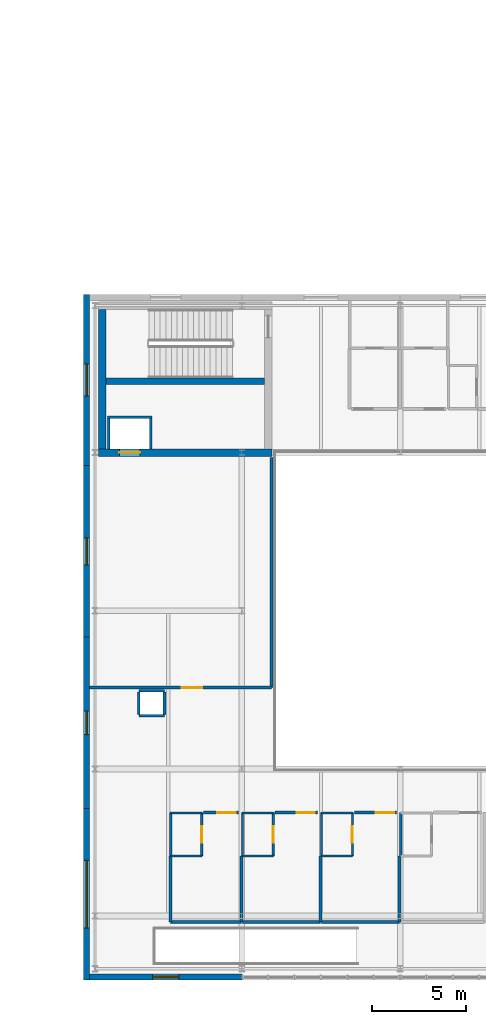
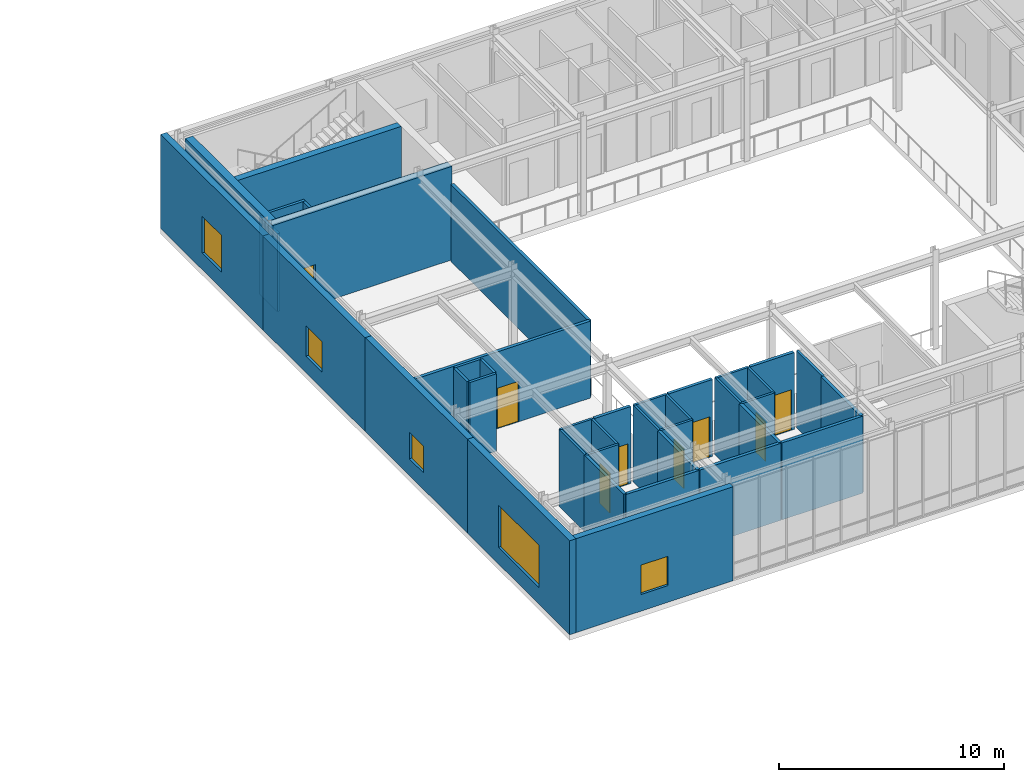
# One storey, part 115 of 139: 40 walls, 8 doors, 5 windows, 13 openings.
"""IFC4 building model written with IfcOpenShell, lengths in metres."""

from ifc_helpers import new_model, si_unit, direction, frame, frame_2d, origin, place, context, subcontext, project, spatial, rectangle, extrude, material, layer, layer_set, type_object, element, fill, save


model = new_model("IFC4")

# Units and contexts
model_context = context("Model", 3, precision=1e-05, world=origin(), true_north=direction((0.0, 1.0)))
body_context = subcontext(model_context, "Body", "Model", "MODEL_VIEW")
ifc_project = project(units=[si_unit("LENGTHUNIT", "METRE"), si_unit("AREAUNIT", "SQUARE_METRE"), si_unit("VOLUMEUNIT", "CUBIC_METRE"), si_unit("PLANEANGLEUNIT", "RADIAN"), si_unit("MASSUNIT", "GRAM", prefix="KILO")], contexts=[model_context])

# Site, building, storey
site_placement = place(None, origin())
site = spatial("IfcSite", under=ifc_project, at=site_placement, CompositionType="ELEMENT")
building_placement = place(site_placement, origin())
building = spatial("IfcBuilding", under=site, at=building_placement, Name="Zayran Congress Hotel", CompositionType="ELEMENT")
storey_placement = place(building_placement, frame((0.0, 0.0, 5.39990234375)))
storey = spatial("IfcBuildingStorey", under=building, at=storey_placement, Name="L01", CompositionType="ELEMENT", Elevation=5.39990234375)

# Wall, opening, window
ifc_material_1 = material(Name="Ajlun white limestone and insulated concrete C32/40", Category="masonry")
ifc_layer_1 = layer(ifc_material_1, 0.320068359375)
ifc_layer_set_1 = layer_set([ifc_layer_1], Name="Ajlun white limestone and insulated concrete C32/40")
wall_type_1 = type_object("IfcWallType", Name="WL-EX-320", PredefinedType="SOLIDWALL", material=ifc_layer_set_1)
wall_1_placement = place(storey_placement, frame((159.60009765625, 6.159912109375, 0.0), z_axis=(0.0, 0.0, 1.0), x_axis=(-1.0, 0.0, 0.0)))
wall_1 = element("IfcWall", 1, at=wall_1_placement, inside=storey, type_object=wall_type_1, Name="EW-V3-S-L01-0", PredefinedType="SOLIDWALL", context=body_context, shape_type="SweptSolid", body=[
    extrude(rectangle(XDim=8.080078125, YDim=0.320068359375, at=frame_2d((4.0400390625, 0.0))), origin(), (0.0, 0.0, 1.0), 5.10009765625),
])
opening_1_placement = place(wall_1_placement, frame((3.340087890625, 0.0, 0.89990234375)))
opening_1 = element("IfcOpeningElement", 2, at=opening_1_placement, cuts=wall_1, Name="Opening WN-14", PredefinedType="OPENING", context=body_context, shape_type="SweptSolid", body=[
    extrude(rectangle(XDim=1.39990234375, YDim=1.60009765625, at=frame_2d((0.699951171875, 0.800048828125))), frame((0.0, 0.169921875, 0.0), z_axis=(0.0, -1.0, 0.0), x_axis=(1.0, 0.0, 0.0)), (0.0, 0.0, 1.0), 0.340087890625),
])
ifc_material_2 = material(Name="Anodised aluminium and low-E insulated glass", Category="aluminium")
window_type_1 = type_object("IfcWindowType", Name="TP-WN-14", PartitioningType="SINGLE_PANEL", PredefinedType="WINDOW", material=ifc_material_2)
window_1_placement = place(opening_1_placement, origin())
window_1 = element("IfcWindow", 3, at=window_1_placement, inside=storey, type_object=window_type_1, Name="WIN-V3-0071", OverallHeight=1.60009765625, OverallWidth=1.39990234375, PartitioningType="SINGLE_PANEL", PredefinedType="WINDOW", context=body_context, shape_type="SweptSolid", body=[
    extrude(rectangle(XDim=1.39990234375, YDim=1.60009765625, at=frame_2d((0.699951171875, 0.800048828125))), frame((0.0, 0.030029296875, 0.0), z_axis=(0.0, -1.0, 0.0), x_axis=(1.0, 0.0, 0.0)), (0.0, 0.0, 1.0), 0.06005859375),
])
fill(opening_1, window_1)

wall_2_placement = place(storey_placement, frame((151.360107421875, 6.0, 0.0), z_axis=(0.0, 0.0, 1.0), x_axis=(0.0, 1.0, 0.0)))
wall_2 = element("IfcWall", 4, at=wall_2_placement, inside=storey, type_object=wall_type_1, Name="EW-V3-W-L01-0", PredefinedType="SOLIDWALL", context=body_context, shape_type="SweptSolid", body=[
    extrude(rectangle(XDim=9.10009765625, YDim=0.320068359375, at=frame_2d((4.550048828125, 0.0))), origin(), (0.0, 0.0, 1.0), 5.10009765625),
])
opening_2_placement = place(wall_2_placement, frame((2.75, 0.0, 0.89990234375)))
opening_2 = element("IfcOpeningElement", 5, at=opening_2_placement, cuts=wall_2, Name="Opening WN-21", PredefinedType="OPENING", context=body_context, shape_type="SweptSolid", body=[
    extrude(rectangle(XDim=3.60009765625, YDim=2.300048828125, at=frame_2d((1.800048828125, 1.14990234375))), frame((0.0, 0.169921875, 0.0), z_axis=(0.0, -1.0, 0.0), x_axis=(1.0, 0.0, 0.0)), (0.0, 0.0, 1.0), 0.340087890625),
])
window_type_2 = type_object("IfcWindowType", Name="TP-WN-21", PartitioningType="TRIPLE_PANEL_VERTICAL", PredefinedType="WINDOW", material=ifc_material_2)
window_2_placement = place(opening_2_placement, origin())
window_2 = element("IfcWindow", 6, at=window_2_placement, inside=storey, type_object=window_type_2, Name="WIN-V3-0078", OverallHeight=2.300048828125, OverallWidth=3.60009765625, PartitioningType="SINGLE_PANEL", PredefinedType="WINDOW", context=body_context, shape_type="SweptSolid", body=[
    extrude(rectangle(XDim=3.60009765625, YDim=2.300048828125, at=frame_2d((1.800048828125, 1.14990234375))), frame((0.0, 0.030029296875, 0.0), z_axis=(0.0, -1.0, 0.0), x_axis=(1.0, 0.0, 0.0)), (0.0, 0.0, 1.0), 0.06005859375),
])
fill(opening_2, window_2)

wall_3_placement = place(storey_placement, frame((151.360107421875, 15.10009765625, 0.0), z_axis=(0.0, 0.0, 1.0), x_axis=(0.0, 1.0, 0.0)))
wall_3 = element("IfcWall", 7, at=wall_3_placement, inside=storey, type_object=wall_type_1, Name="EW-V3-W-L01-1", PredefinedType="SOLIDWALL", context=body_context, shape_type="SweptSolid", body=[
    extrude(rectangle(XDim=9.099853515625, YDim=0.320068359375, at=frame_2d((4.5498046875, 0.0))), origin(), (0.0, 0.0, 1.0), 5.10009765625),
])
opening_3_placement = place(wall_3_placement, frame((3.925048828125, 0.0, 0.89990234375)))
opening_3 = element("IfcOpeningElement", 8, at=opening_3_placement, cuts=wall_3, Name="Opening WN-23", PredefinedType="OPENING", context=body_context, shape_type="SweptSolid", body=[
    extrude(rectangle(XDim=1.25, YDim=1.449951171875, at=frame_2d((0.625, 0.72509765625))), frame((0.0, 0.169921875, 0.0), z_axis=(0.0, -1.0, 0.0), x_axis=(1.0, 0.0, 0.0)), (0.0, 0.0, 1.0), 0.340087890625),
])
window_type_3 = type_object("IfcWindowType", Name="TP-WN-23", PartitioningType="SINGLE_PANEL", PredefinedType="WINDOW", material=ifc_material_2)
window_3_placement = place(opening_3_placement, origin())
window_3 = element("IfcWindow", 9, at=window_3_placement, inside=storey, type_object=window_type_3, Name="WIN-V3-0080", OverallHeight=1.449951171875, OverallWidth=1.25, PartitioningType="SINGLE_PANEL", PredefinedType="WINDOW", context=body_context, shape_type="SweptSolid", body=[
    extrude(rectangle(XDim=1.25, YDim=1.449951171875, at=frame_2d((0.625, 0.72509765625))), frame((0.0, 0.030029296875, 0.0), z_axis=(0.0, -1.0, 0.0), x_axis=(1.0, 0.0, 0.0)), (0.0, 0.0, 1.0), 0.06005859375),
])
fill(opening_3, window_3)

wall_4_placement = place(storey_placement, frame((151.360107421875, 24.199951171875, 0.0), z_axis=(0.0, 0.0, 1.0), x_axis=(0.0, 1.0, 0.0)))
wall_4 = element("IfcWall", 10, at=wall_4_placement, inside=storey, type_object=wall_type_1, Name="EW-V3-W-L01-2", PredefinedType="SOLIDWALL", context=body_context, shape_type="SweptSolid", body=[
    extrude(rectangle(XDim=9.10009765625, YDim=0.320068359375, at=frame_2d((4.550048828125, 0.0))), origin(), (0.0, 0.0, 1.0), 5.10009765625),
])
opening_4_placement = place(wall_4_placement, frame((3.824951171875, 0.0, 0.89990234375)))
opening_4 = element("IfcOpeningElement", 11, at=opening_4_placement, cuts=wall_4, Name="Opening WN-25", PredefinedType="OPENING", context=body_context, shape_type="SweptSolid", body=[
    extrude(rectangle(XDim=1.449951171875, YDim=1.64990234375, at=frame_2d((0.72509765625, 0.824951171875))), frame((0.0, 0.169921875, 0.0), z_axis=(0.0, -1.0, 0.0), x_axis=(1.0, 0.0, 0.0)), (0.0, 0.0, 1.0), 0.340087890625),
])
window_type_4 = type_object("IfcWindowType", Name="TP-WN-25", PartitioningType="SINGLE_PANEL", PredefinedType="WINDOW", material=ifc_material_2)
window_4_placement = place(opening_4_placement, origin())
window_4 = element("IfcWindow", 12, at=window_4_placement, inside=storey, type_object=window_type_4, Name="WIN-V3-0082", OverallHeight=1.64990234375, OverallWidth=1.449951171875, PartitioningType="SINGLE_PANEL", PredefinedType="WINDOW", context=body_context, shape_type="SweptSolid", body=[
    extrude(rectangle(XDim=1.449951171875, YDim=1.64990234375, at=frame_2d((0.72509765625, 0.824951171875))), frame((0.0, 0.030029296875, 0.0), z_axis=(0.0, -1.0, 0.0), x_axis=(1.0, 0.0, 0.0)), (0.0, 0.0, 1.0), 0.06005859375),
])
fill(opening_4, window_4)

wall_5_placement = place(storey_placement, frame((151.360107421875, 33.300048828125, 0.0), z_axis=(0.0, 0.0, 1.0), x_axis=(0.0, 1.0, 0.0)))
wall_5 = element("IfcWall", 13, at=wall_5_placement, inside=storey, type_object=wall_type_1, Name="EW-V3-W-L01-3", PredefinedType="SOLIDWALL", context=body_context, shape_type="SweptSolid", body=[
    extrude(rectangle(XDim=9.099853515625, YDim=0.320068359375, at=frame_2d((4.5498046875, 0.0))), origin(), (0.0, 0.0, 1.0), 5.10009765625),
])
opening_5_placement = place(wall_5_placement, frame((3.699951171875, 0.0, 0.89990234375)))
opening_5 = element("IfcOpeningElement", 14, at=opening_5_placement, cuts=wall_5, Name="Opening WN-27", PredefinedType="OPENING", context=body_context, shape_type="SweptSolid", body=[
    extrude(rectangle(XDim=1.699951171875, YDim=2.0, at=frame_2d((0.85009765625, 1.0))), frame((0.0, 0.169921875, 0.0), z_axis=(0.0, -1.0, 0.0), x_axis=(1.0, 0.0, 0.0)), (0.0, 0.0, 1.0), 0.340087890625),
])
window_type_5 = type_object("IfcWindowType", Name="TP-WN-27", PartitioningType="DOUBLE_PANEL_VERTICAL", PredefinedType="WINDOW", material=ifc_material_2)
window_5_placement = place(opening_5_placement, origin())
window_5 = element("IfcWindow", 15, at=window_5_placement, inside=storey, type_object=window_type_5, Name="WIN-V3-0084", OverallHeight=2.0, OverallWidth=1.699951171875, PartitioningType="SINGLE_PANEL", PredefinedType="WINDOW", context=body_context, shape_type="SweptSolid", body=[
    extrude(rectangle(XDim=1.699951171875, YDim=2.0, at=frame_2d((0.85009765625, 1.0))), frame((0.0, 0.030029296875, 0.0), z_axis=(0.0, -1.0, 0.0), x_axis=(1.0, 0.0, 0.0)), (0.0, 0.0, 1.0), 0.06005859375),
])
fill(opening_5, window_5)

# Wall, opening, door
ifc_material_3 = material(Name="Concrete C40/50", Category="concrete")
ifc_layer_2 = layer(ifc_material_3, 0.39990234375)
ifc_layer_set_2 = layer_set([ifc_layer_2], Name="Concrete C40/50")
wall_type_2 = type_object("IfcWallType", Name="WL-SH-400", PredefinedType="SHEAR", material=ifc_layer_set_2)
wall_6_placement = place(storey_placement, frame((152.0, 34.0, 0.0), z_axis=(0.0, 0.0, 1.0), x_axis=(1.0, 0.0, 0.0)))
wall_6 = element("IfcWall", 16, at=wall_6_placement, inside=storey, type_object=wall_type_2, Name="CWALL-C-V3W-L01-S", PredefinedType="SHEAR", context=body_context, shape_type="SweptSolid", body=[
    extrude(rectangle(XDim=9.199951171875, YDim=0.39990234375, at=frame_2d((4.60009765625, 0.0))), origin(), (0.0, 0.0, 1.0), 5.080078125),
])
opening_6_placement = place(wall_6_placement, frame((1.10009765625, 0.0, 0.0)))
opening_6 = element("IfcOpeningElement", 17, at=opening_6_placement, cuts=wall_6, Name="Opening LD-PL08", PredefinedType="OPENING", context=body_context, shape_type="SweptSolid", body=[
    extrude(rectangle(XDim=1.10009765625, YDim=2.199951171875, at=frame_2d((0.550048828125, 1.10009765625))), frame((0.0, 0.2099609375, 0.0), z_axis=(0.0, -1.0, 0.0), x_axis=(1.0, 0.0, 0.0)), (0.0, 0.0, 1.0), 0.419921875),
])
ifc_material_4 = material(Name="Brushed stainless steel sliding lift landing door", Category="steel")
door_type_1 = type_object("IfcDoorType", Name="TP-DR-LD-01", OperationType="DOUBLE_DOOR_SLIDING", PredefinedType="DOOR", material=ifc_material_4)
door_1_placement = place(opening_6_placement, origin())
door_1 = element("IfcDoor", 18, at=door_1_placement, inside=storey, type_object=door_type_1, Name="Lift PL-08 Sliding Landing Door L01", OperationType="DOUBLE_DOOR_SLIDING", OverallHeight=2.199951171875, OverallWidth=1.10009765625, PredefinedType="DOOR", context=body_context, shape_type="SweptSolid", body=[
    extrude(rectangle(XDim=1.10009765625, YDim=2.199951171875, at=frame_2d((0.550048828125, 1.10009765625))), frame((0.0, 0.02490234375, 0.0), z_axis=(0.0, -1.0, 0.0), x_axis=(1.0, 0.0, 0.0)), (0.0, 0.0, 1.0), 0.050048828125),
])
fill(opening_6, door_1)

# Walls
wall_7_placement = place(storey_placement, frame((152.199951171875, 41.60009765625, 0.0), z_axis=(0.0, 0.0, 1.0), x_axis=(0.0, -1.0, 0.0)))
element("IfcWall", 19, at=wall_7_placement, inside=storey, type_object=wall_type_2, Name="CWALL-C-V3W-L01-W", PredefinedType="SHEAR", context=body_context, shape_type="SweptSolid", body=[
    extrude(rectangle(XDim=7.400146484375, YDim=0.39990234375, at=frame_2d((3.7001953125, 0.0))), origin(), (0.0, 0.0, 1.0), 5.080078125),
])
ifc_layer_3 = layer(ifc_material_3, 0.35009765625)
ifc_layer_set_3 = layer_set([ifc_layer_3], Name="Concrete C40/50")
wall_type_3 = type_object("IfcWallType", Name="WL-SH-350", PredefinedType="SHEAR", material=ifc_layer_set_3)
wall_8_placement = place(storey_placement, frame((152.39990234375, 37.784912109375, 0.0), z_axis=(0.0, 0.0, 1.0), x_axis=(1.0, 0.0, 0.0)))
element("IfcWall", 20, at=wall_8_placement, inside=storey, type_object=wall_type_3, Name="CWALL-C-V3W-L01-SPN", PredefinedType="SHEAR", context=body_context, shape_type="SweptSolid", body=[
    extrude(rectangle(XDim=8.400146484375, YDim=0.35009765625, at=frame_2d((4.2001953125, 0.0))), origin(), (0.0, 0.0, 1.0), 5.080078125),
])

# Wall, opening, door
ifc_material_5 = material(Name="Acoustic twin-stud gypsum partition", Category="gypsum")
ifc_layer_4 = layer(ifc_material_5, 0.159912109375)
ifc_layer_set_4 = layer_set([ifc_layer_4], Name="Acoustic twin-stud gypsum partition")
wall_type_4 = type_object("IfcWallType", Name="WL-PT-160", PredefinedType="PARTITIONING", material=ifc_layer_set_4)
wall_9_placement = place(storey_placement, frame((151.52001953125, 21.52001953125, 0.0), z_axis=(0.0, 0.0, 1.0), x_axis=(1.0, 0.0, 0.0)))
wall_9 = element("IfcWall", 21, at=wall_9_placement, inside=storey, type_object=wall_type_4, Name="IW-L01-0419", PredefinedType="PARTITIONING", context=body_context, shape_type="SweptSolid", body=[
    extrude(rectangle(XDim=9.659912109375, YDim=0.159912109375, at=frame_2d((4.830078125, 0.0))), origin(), (0.0, 0.0, 1.0), 4.18017578125),
])
opening_7_placement = place(wall_9_placement, frame((4.8798828125, 0.0, 0.0)))
opening_7 = element("IfcOpeningElement", 22, at=opening_7_placement, cuts=wall_9, Name="Opening DR-FD-60", PredefinedType="OPENING", context=body_context, shape_type="SweptSolid", body=[
    extrude(rectangle(XDim=1.10009765625, YDim=2.199951171875, at=frame_2d((0.550048828125, 1.10009765625))), frame((0.0, 0.08984375, 0.0), z_axis=(0.0, -1.0, 0.0), x_axis=(1.0, 0.0, 0.0)), (0.0, 0.0, 1.0), 0.179931640625),
])
ifc_material_6 = material(Name="Painted steel fire door assembly", Category="steel")
door_type_2 = type_object("IfcDoorType", Name="TP-DR-FD-60", OperationType="NOTDEFINED", PredefinedType="DOOR", material=ifc_material_6)
door_2_placement = place(opening_7_placement, origin())
door_2 = element("IfcDoor", 23, at=door_2_placement, inside=storey, type_object=door_type_2, Name="Spa Lift Lobby L01 Door", OperationType="SINGLE_SWING_LEFT", OverallHeight=2.199951171875, OverallWidth=1.10009765625, PredefinedType="DOOR", context=body_context, shape_type="SweptSolid", body=[
    extrude(rectangle(XDim=1.10009765625, YDim=2.199951171875, at=frame_2d((0.550048828125, 1.10009765625))), frame((0.0, 0.02490234375, 0.0), z_axis=(0.0, -1.0, 0.0), x_axis=(1.0, 0.0, 0.0)), (0.0, 0.0, 1.0), 0.050048828125),
])
fill(opening_7, door_2)

wall_10_placement = place(storey_placement, frame((157.570068359375, 14.8798828125, 0.0), z_axis=(0.0, 0.0, 1.0), x_axis=(1.0, 0.0, 0.0)))
wall_10 = element("IfcWall", 24, at=wall_10_placement, inside=storey, type_object=wall_type_4, Name="IW-L01-0420", PredefinedType="PARTITIONING", context=body_context, shape_type="SweptSolid", body=[
    extrude(rectangle(XDim=1.849853515625, YDim=0.159912109375, at=frame_2d((0.9248046875, 0.0))), origin(), (0.0, 0.0, 1.0), 4.18017578125),
])
opening_8_placement = place(wall_10_placement, frame((0.72998046875, 0.0, 0.0)))
opening_8 = element("IfcOpeningElement", 25, at=opening_8_placement, cuts=wall_10, Name="Opening DR-SP-01", PredefinedType="OPENING", context=body_context, shape_type="SweptSolid", body=[
    extrude(rectangle(XDim=0.97998046875, YDim=2.199951171875, at=frame_2d((0.489990234375, 1.10009765625))), frame((0.0, 0.08984375, 0.0), z_axis=(0.0, -1.0, 0.0), x_axis=(1.0, 0.0, 0.0)), (0.0, 0.0, 1.0), 0.179931640625),
])
ifc_material_7 = material(Name="Teak thermal spa suite door", Category="wood")
door_type_3 = type_object("IfcDoorType", Name="TP-DR-SP-01", OperationType="NOTDEFINED", PredefinedType="DOOR", material=ifc_material_7)
door_3_placement = place(opening_8_placement, origin())
door_3 = element("IfcDoor", 26, at=door_3_placement, inside=storey, type_object=door_type_3, Name="Treatment Suite 01 Door", OperationType="SINGLE_SWING_RIGHT", OverallHeight=2.199951171875, OverallWidth=0.97998046875, PredefinedType="DOOR", context=body_context, shape_type="SweptSolid", body=[
    extrude(rectangle(XDim=0.97998046875, YDim=2.199951171875, at=frame_2d((0.489990234375, 1.10009765625))), frame((0.0, 0.02490234375, 0.0), z_axis=(0.0, -1.0, 0.0), x_axis=(1.0, 0.0, 0.0)), (0.0, 0.0, 1.0), 0.050048828125),
])
fill(opening_8, door_3)

wall_11_placement = place(storey_placement, frame((161.3701171875, 14.8798828125, 0.0), z_axis=(0.0, 0.0, 1.0), x_axis=(1.0, 0.0, 0.0)))
wall_11 = element("IfcWall", 27, at=wall_11_placement, inside=storey, type_object=wall_type_4, Name="IW-L01-0421", PredefinedType="PARTITIONING", context=body_context, shape_type="SweptSolid", body=[
    extrude(rectangle(XDim=2.25, YDim=0.159912109375, at=frame_2d((1.125, 0.0))), origin(), (0.0, 0.0, 1.0), 4.18017578125),
])
opening_9_placement = place(wall_11_placement, frame((1.1298828125, 0.0, 0.0)))
opening_9 = element("IfcOpeningElement", 28, at=opening_9_placement, cuts=wall_11, Name="Opening DR-SP-01", PredefinedType="OPENING", context=body_context, shape_type="SweptSolid", body=[
    extrude(rectangle(XDim=0.97998046875, YDim=2.199951171875, at=frame_2d((0.489990234375, 1.10009765625))), frame((0.0, 0.08984375, 0.0), z_axis=(0.0, -1.0, 0.0), x_axis=(1.0, 0.0, 0.0)), (0.0, 0.0, 1.0), 0.179931640625),
])
door_4_placement = place(opening_9_placement, origin())
door_4 = element("IfcDoor", 29, at=door_4_placement, inside=storey, type_object=door_type_3, Name="Treatment Suite 02 Door", OperationType="SINGLE_SWING_LEFT", OverallHeight=2.199951171875, OverallWidth=0.97998046875, PredefinedType="DOOR", context=body_context, shape_type="SweptSolid", body=[
    extrude(rectangle(XDim=0.97998046875, YDim=2.199951171875, at=frame_2d((0.489990234375, 1.10009765625))), frame((0.0, 0.02490234375, 0.0), z_axis=(0.0, -1.0, 0.0), x_axis=(1.0, 0.0, 0.0)), (0.0, 0.0, 1.0), 0.050048828125),
])
fill(opening_9, door_4)

wall_12_placement = place(storey_placement, frame((165.570068359375, 14.8798828125, 0.0), z_axis=(0.0, 0.0, 1.0), x_axis=(1.0, 0.0, 0.0)))
wall_12 = element("IfcWall", 30, at=wall_12_placement, inside=storey, type_object=wall_type_4, Name="IW-L01-0422", PredefinedType="PARTITIONING", context=body_context, shape_type="SweptSolid", body=[
    extrude(rectangle(XDim=2.25, YDim=0.159912109375, at=frame_2d((1.125, 0.0))), origin(), (0.0, 0.0, 1.0), 4.18017578125),
])
opening_10_placement = place(wall_12_placement, frame((1.1298828125, 0.0, 0.0)))
opening_10 = element("IfcOpeningElement", 31, at=opening_10_placement, cuts=wall_12, Name="Opening DR-SP-01", PredefinedType="OPENING", context=body_context, shape_type="SweptSolid", body=[
    extrude(rectangle(XDim=0.97998046875, YDim=2.199951171875, at=frame_2d((0.489990234375, 1.10009765625))), frame((0.0, 0.08984375, 0.0), z_axis=(0.0, -1.0, 0.0), x_axis=(1.0, 0.0, 0.0)), (0.0, 0.0, 1.0), 0.179931640625),
])
door_5_placement = place(opening_10_placement, origin())
door_5 = element("IfcDoor", 32, at=door_5_placement, inside=storey, type_object=door_type_3, Name="Treatment Suite 03 Door", OperationType="SINGLE_SWING_RIGHT", OverallHeight=2.199951171875, OverallWidth=0.97998046875, PredefinedType="DOOR", context=body_context, shape_type="SweptSolid", body=[
    extrude(rectangle(XDim=0.97998046875, YDim=2.199951171875, at=frame_2d((0.489990234375, 1.10009765625))), frame((0.0, 0.02490234375, 0.0), z_axis=(0.0, -1.0, 0.0), x_axis=(1.0, 0.0, 0.0)), (0.0, 0.0, 1.0), 0.050048828125),
])
fill(opening_10, door_5)

# Walls
wall_13_placement = place(storey_placement, frame((161.179931640625, 21.52001953125, 0.0), z_axis=(0.0, 0.0, 1.0), x_axis=(0.0, 1.0, 0.0)))
element("IfcWall", 33, at=wall_13_placement, inside=storey, type_object=wall_type_4, Name="IW-L01-1698", PredefinedType="PARTITIONING", context=body_context, shape_type="SweptSolid", body=[
    extrude(rectangle(XDim=12.2099609375, YDim=0.159912109375, at=frame_2d((6.10498046875, 0.0))), origin(), (0.0, 0.0, 1.0), 4.18017578125),
])
wall_14_placement = place(storey_placement, frame((155.820068359375, 9.070068359375, 0.0), z_axis=(0.0, 0.0, 1.0), x_axis=(1.0, 0.0, 0.0)))
element("IfcWall", 34, at=wall_14_placement, inside=storey, type_object=wall_type_4, Name="IW-L01-1699", PredefinedType="PARTITIONING", context=body_context, shape_type="SweptSolid", body=[
    extrude(rectangle(XDim=3.760009765625, YDim=0.159912109375, at=frame_2d((1.8798828125, 0.0))), origin(), (0.0, 0.0, 1.0), 4.18017578125),
])
for number, where, z_axis, x_axis, name in (
    (35, (155.820068359375, 9.070068359375, 0.0), (0.0, 0.0, 1.0), (0.0, 1.0, 0.0), "IW-L01-1700"),
    (36, (159.580078125, 9.070068359375, 0.0), (0.0, 0.0, 1.0), (0.0, 1.0, 0.0), "IW-L01-1701"),
):
    element("IfcWall", number, at=place(storey_placement, frame(where, z_axis=z_axis, x_axis=x_axis)), inside=storey, type_object=wall_type_4, Name=name, PredefinedType="PARTITIONING", context=body_context, shape_type="SweptSolid", body=[
        extrude(rectangle(XDim=3.5, YDim=0.159912109375, at=frame_2d((1.75, 0.0))), origin(), (0.0, 0.0, 1.0), 4.18017578125),
    ])
wall_15_placement = place(storey_placement, frame((159.6201171875, 9.070068359375, 0.0), z_axis=(0.0, 0.0, 1.0), x_axis=(1.0, 0.0, 0.0)))
element("IfcWall", 37, at=wall_15_placement, inside=storey, type_object=wall_type_4, Name="IW-L01-1702", PredefinedType="PARTITIONING", context=body_context, shape_type="SweptSolid", body=[
    extrude(rectangle(XDim=4.159912109375, YDim=0.159912109375, at=frame_2d((2.080078125, 0.0))), origin(), (0.0, 0.0, 1.0), 4.18017578125),
])
wall_16_placement = place(storey_placement, frame((163.780029296875, 9.070068359375, 0.0), z_axis=(0.0, 0.0, 1.0), x_axis=(0.0, 1.0, 0.0)))
element("IfcWall", 38, at=wall_16_placement, inside=storey, type_object=wall_type_4, Name="IW-L01-1703", PredefinedType="PARTITIONING", context=body_context, shape_type="SweptSolid", body=[
    extrude(rectangle(XDim=3.5, YDim=0.159912109375, at=frame_2d((1.75, 0.0))), origin(), (0.0, 0.0, 1.0), 4.18017578125),
])
wall_17_placement = place(storey_placement, frame((163.820068359375, 9.070068359375, 0.0), z_axis=(0.0, 0.0, 1.0), x_axis=(1.0, 0.0, 0.0)))
element("IfcWall", 39, at=wall_17_placement, inside=storey, type_object=wall_type_4, Name="IW-L01-1704", PredefinedType="PARTITIONING", context=body_context, shape_type="SweptSolid", body=[
    extrude(rectangle(XDim=4.159912109375, YDim=0.159912109375, at=frame_2d((2.080078125, 0.0))), origin(), (0.0, 0.0, 1.0), 4.18017578125),
])
wall_18_placement = place(storey_placement, frame((167.97998046875, 9.070068359375, 0.0), z_axis=(0.0, 0.0, 1.0), x_axis=(0.0, 1.0, 0.0)))
element("IfcWall", 40, at=wall_18_placement, inside=storey, type_object=wall_type_4, Name="IW-L01-1705", PredefinedType="PARTITIONING", context=body_context, shape_type="SweptSolid", body=[
    extrude(rectangle(XDim=3.5, YDim=0.159912109375, at=frame_2d((1.75, 0.0))), origin(), (0.0, 0.0, 1.0), 4.18017578125),
])
ifc_material_8 = material(Name="Hospitality guestroom acoustic partition", Category="gypsum")
ifc_layer_5 = layer(ifc_material_8, 0.139892578125)
ifc_layer_set_5 = layer_set([ifc_layer_5], Name="Hospitality guestroom acoustic partition")
wall_type_5 = type_object("IfcWallType", Name="WL-PT-140", PredefinedType="PARTITIONING", material=ifc_layer_set_5)
for number, where, z_axis, x_axis, name in (
    (41, (152.530029296875, 34.199951171875, 0.0), (0.0, 0.0, 1.0), (0.0, 1.0, 0.0), "LSHW-C-V3W-L01-W"),
    (42, (154.77001953125, 34.199951171875, 0.0), (0.0, 0.0, 1.0), (0.0, 1.0, 0.0), "LSHW-C-V3W-L01-E"),
):
    element("IfcWall", number, at=place(storey_placement, frame(where, z_axis=z_axis, x_axis=x_axis)), inside=storey, type_object=wall_type_5, Name=name, PredefinedType="PARTITIONING", context=body_context, shape_type="SweptSolid", body=[
        extrude(rectangle(XDim=1.60009765625, YDim=0.139892578125, at=frame_2d((0.800048828125, 0.0))), origin(), (0.0, 0.0, 1.0), 4.22998046875),
    ])
wall_19_placement = place(storey_placement, frame((152.4599609375, 35.8701171875, 0.0), z_axis=(0.0, 0.0, 1.0), x_axis=(1.0, 0.0, 0.0)))
element("IfcWall", 43, at=wall_19_placement, inside=storey, type_object=wall_type_5, Name="LSHW-C-V3W-L01-N", PredefinedType="PARTITIONING", context=body_context, shape_type="SweptSolid", body=[
    extrude(rectangle(XDim=2.380126953125, YDim=0.139892578125, at=frame_2d((1.18994140625, 0.0))), origin(), (0.0, 0.0, 1.0), 4.22998046875),
])
for number, where, z_axis, x_axis, name in (
    (44, (154.1298828125, 20.030029296875, 0.0), (0.0, 0.0, 1.0), (1.0, 0.0, 0.0), "RSWL-V3-L01-013-S"),
    (45, (155.489990234375, 21.35009765625, 0.0), (0.0, 0.0, 1.0), (-1.0, 0.0, 0.0), "RSWL-V3-L01-013-N"),
):
    element("IfcWall", number, at=place(storey_placement, frame(where, z_axis=z_axis, x_axis=x_axis)), inside=storey, type_object=wall_type_5, Name=name, PredefinedType="PARTITIONING", context=body_context, shape_type="SweptSolid", body=[
        extrude(rectangle(XDim=1.360107421875, YDim=0.139892578125, at=frame_2d((0.68017578125, 0.0))), origin(), (0.0, 0.0, 1.0), 4.2001953125),
    ])
for number, where, z_axis, x_axis, name in (
    (46, (154.1298828125, 21.280029296875, 0.0), (0.0, 0.0, 1.0), (0.0, -1.0, 0.0), "RSWL-V3-L01-013-W"),
    (47, (155.489990234375, 20.10009765625, 0.0), (0.0, 0.0, 1.0), (0.0, 1.0, 0.0), "RSWL-V3-L01-013-E"),
):
    element("IfcWall", number, at=place(storey_placement, frame(where, z_axis=z_axis, x_axis=x_axis)), inside=storey, type_object=wall_type_5, Name=name, PredefinedType="PARTITIONING", context=body_context, shape_type="SweptSolid", body=[
        extrude(rectangle(XDim=1.179931640625, YDim=0.139892578125, at=frame_2d((0.58984375, 0.0))), origin(), (0.0, 0.0, 1.0), 4.2001953125),
    ])

# Wall, opening, door
ifc_material_9 = material(Name="Moisture-resistant bathroom partition", Category="gypsum")
ifc_layer_6 = layer(ifc_material_9, 0.1201171875)
ifc_layer_set_6 = layer_set([ifc_layer_6], Name="Moisture-resistant bathroom partition")
wall_type_6 = type_object("IfcWallType", Name="WL-PT-120", PredefinedType="PARTITIONING", material=ifc_layer_set_6)
wall_20_placement = place(storey_placement, frame((157.469970703125, 12.570068359375, 0.0), z_axis=(0.0, 0.0, 1.0), x_axis=(0.0, 1.0, 0.0)))
wall_20 = element("IfcWall", 48, at=wall_20_placement, inside=storey, type_object=wall_type_6, Name="IW-L01-0001", PredefinedType="PARTITIONING", context=body_context, shape_type="SweptSolid", body=[
    extrude(rectangle(XDim=2.309814453125, YDim=0.1201171875, at=frame_2d((1.15478515625, 0.0))), origin(), (0.0, 0.0, 1.0), 4.18017578125),
])
opening_11_placement = place(wall_20_placement, frame((0.715087890625, 0.0, 0.0)))
opening_11 = element("IfcOpeningElement", 49, at=opening_11_placement, cuts=wall_20, Name="Opening DR-BT-01", PredefinedType="OPENING", context=body_context, shape_type="SweptSolid", body=[
    extrude(rectangle(XDim=0.8798828125, YDim=2.14990234375, at=frame_2d((0.43994140625, 1.074951171875))), frame((0.0, 0.070068359375, 0.0), z_axis=(0.0, -1.0, 0.0), x_axis=(1.0, 0.0, 0.0)), (0.0, 0.0, 1.0), 0.14013671875),
])
ifc_material_10 = material(Name="Moisture-resistant oak en-suite door", Category="wood")
door_type_4 = type_object("IfcDoorType", Name="TP-DR-BT-01", OperationType="NOTDEFINED", PredefinedType="DOOR", material=ifc_material_10)
door_6_placement = place(opening_11_placement, origin())
door_6 = element("IfcDoor", 50, at=door_6_placement, inside=storey, type_object=door_type_4, Name="En-Suite Bathroom Spa 01 Door", OperationType="SINGLE_SWING_RIGHT", OverallHeight=2.14990234375, OverallWidth=0.8798828125, PredefinedType="DOOR", context=body_context, shape_type="SweptSolid", body=[
    extrude(rectangle(XDim=0.8798828125, YDim=2.14990234375, at=frame_2d((0.43994140625, 1.074951171875))), frame((0.0, 0.02490234375, 0.0), z_axis=(0.0, -1.0, 0.0), x_axis=(1.0, 0.0, 0.0)), (0.0, 0.0, 1.0), 0.050048828125),
])
fill(opening_11, door_6)

wall_21_placement = place(storey_placement, frame((161.27001953125, 12.570068359375, 0.0), z_axis=(0.0, 0.0, 1.0), x_axis=(0.0, 1.0, 0.0)))
wall_21 = element("IfcWall", 51, at=wall_21_placement, inside=storey, type_object=wall_type_6, Name="IW-L01-0002", PredefinedType="PARTITIONING", context=body_context, shape_type="SweptSolid", body=[
    extrude(rectangle(XDim=2.309814453125, YDim=0.1201171875, at=frame_2d((1.15478515625, 0.0))), origin(), (0.0, 0.0, 1.0), 4.18017578125),
])
opening_12_placement = place(wall_21_placement, frame((0.715087890625, 0.0, 0.0)))
opening_12 = element("IfcOpeningElement", 52, at=opening_12_placement, cuts=wall_21, Name="Opening DR-BT-01", PredefinedType="OPENING", context=body_context, shape_type="SweptSolid", body=[
    extrude(rectangle(XDim=0.8798828125, YDim=2.14990234375, at=frame_2d((0.43994140625, 1.074951171875))), frame((0.0, 0.070068359375, 0.0), z_axis=(0.0, -1.0, 0.0), x_axis=(1.0, 0.0, 0.0)), (0.0, 0.0, 1.0), 0.14013671875),
])
door_7_placement = place(opening_12_placement, origin())
door_7 = element("IfcDoor", 53, at=door_7_placement, inside=storey, type_object=door_type_4, Name="En-Suite Bathroom Spa 02 Door", OperationType="SINGLE_SWING_LEFT", OverallHeight=2.14990234375, OverallWidth=0.8798828125, PredefinedType="DOOR", context=body_context, shape_type="SweptSolid", body=[
    extrude(rectangle(XDim=0.8798828125, YDim=2.14990234375, at=frame_2d((0.43994140625, 1.074951171875))), frame((0.0, 0.02490234375, 0.0), z_axis=(0.0, -1.0, 0.0), x_axis=(1.0, 0.0, 0.0)), (0.0, 0.0, 1.0), 0.050048828125),
])
fill(opening_12, door_7)

wall_22_placement = place(storey_placement, frame((165.469970703125, 12.570068359375, 0.0), z_axis=(0.0, 0.0, 1.0), x_axis=(0.0, 1.0, 0.0)))
wall_22 = element("IfcWall", 54, at=wall_22_placement, inside=storey, type_object=wall_type_6, Name="IW-L01-0003", PredefinedType="PARTITIONING", context=body_context, shape_type="SweptSolid", body=[
    extrude(rectangle(XDim=2.309814453125, YDim=0.1201171875, at=frame_2d((1.15478515625, 0.0))), origin(), (0.0, 0.0, 1.0), 4.18017578125),
])
opening_13_placement = place(wall_22_placement, frame((0.715087890625, 0.0, 0.0)))
opening_13 = element("IfcOpeningElement", 55, at=opening_13_placement, cuts=wall_22, Name="Opening DR-BT-01", PredefinedType="OPENING", context=body_context, shape_type="SweptSolid", body=[
    extrude(rectangle(XDim=0.8798828125, YDim=2.14990234375, at=frame_2d((0.43994140625, 1.074951171875))), frame((0.0, 0.070068359375, 0.0), z_axis=(0.0, -1.0, 0.0), x_axis=(1.0, 0.0, 0.0)), (0.0, 0.0, 1.0), 0.14013671875),
])
door_8_placement = place(opening_13_placement, origin())
door_8 = element("IfcDoor", 56, at=door_8_placement, inside=storey, type_object=door_type_4, Name="En-Suite Bathroom Spa 03 Door", OperationType="SINGLE_SWING_RIGHT", OverallHeight=2.14990234375, OverallWidth=0.8798828125, PredefinedType="DOOR", context=body_context, shape_type="SweptSolid", body=[
    extrude(rectangle(XDim=0.8798828125, YDim=2.14990234375, at=frame_2d((0.43994140625, 1.074951171875))), frame((0.0, 0.02490234375, 0.0), z_axis=(0.0, -1.0, 0.0), x_axis=(1.0, 0.0, 0.0)), (0.0, 0.0, 1.0), 0.050048828125),
])
fill(opening_13, door_8)

# Walls
for number, where, z_axis, x_axis, name in (
    (57, (155.820068359375, 12.580078125, 0.0), (0.0, 0.0, 1.0), (1.0, 0.0, 0.0), "IW-L01-0859"),
    (58, (155.820068359375, 14.8701171875, 0.0), (0.0, 0.0, 1.0), (1.0, 0.0, 0.0), "IW-L01-0860"),
):
    element("IfcWall", number, at=place(storey_placement, frame(where, z_axis=z_axis, x_axis=x_axis)), inside=storey, type_object=wall_type_6, Name=name, PredefinedType="PARTITIONING", context=body_context, shape_type="SweptSolid", body=[
        extrude(rectangle(XDim=1.659912109375, YDim=0.1201171875, at=frame_2d((0.830078125, 0.0))), origin(), (0.0, 0.0, 1.0), 4.18017578125),
    ])
wall_23_placement = place(storey_placement, frame((155.830078125, 12.570068359375, 0.0), z_axis=(0.0, 0.0, 1.0), x_axis=(0.0, 1.0, 0.0)))
element("IfcWall", 59, at=wall_23_placement, inside=storey, type_object=wall_type_6, Name="IW-L01-0861", PredefinedType="PARTITIONING", context=body_context, shape_type="SweptSolid", body=[
    extrude(rectangle(XDim=2.309814453125, YDim=0.1201171875, at=frame_2d((1.15478515625, 0.0))), origin(), (0.0, 0.0, 1.0), 4.18017578125),
])
for number, where, z_axis, x_axis, name in (
    (60, (159.6201171875, 12.580078125, 0.0), (0.0, 0.0, 1.0), (1.0, 0.0, 0.0), "IW-L01-0862"),
    (61, (159.6201171875, 14.8701171875, 0.0), (0.0, 0.0, 1.0), (1.0, 0.0, 0.0), "IW-L01-0863"),
):
    element("IfcWall", number, at=place(storey_placement, frame(where, z_axis=z_axis, x_axis=x_axis)), inside=storey, type_object=wall_type_6, Name=name, PredefinedType="PARTITIONING", context=body_context, shape_type="SweptSolid", body=[
        extrude(rectangle(XDim=1.659912109375, YDim=0.1201171875, at=frame_2d((0.830078125, 0.0))), origin(), (0.0, 0.0, 1.0), 4.18017578125),
    ])
wall_24_placement = place(storey_placement, frame((159.6298828125, 12.570068359375, 0.0), z_axis=(0.0, 0.0, 1.0), x_axis=(0.0, 1.0, 0.0)))
element("IfcWall", 62, at=wall_24_placement, inside=storey, type_object=wall_type_6, Name="IW-L01-0864", PredefinedType="PARTITIONING", context=body_context, shape_type="SweptSolid", body=[
    extrude(rectangle(XDim=2.309814453125, YDim=0.1201171875, at=frame_2d((1.15478515625, 0.0))), origin(), (0.0, 0.0, 1.0), 4.18017578125),
])
for number, where, z_axis, x_axis, name in (
    (63, (163.820068359375, 12.580078125, 0.0), (0.0, 0.0, 1.0), (1.0, 0.0, 0.0), "IW-L01-0865"),
    (64, (163.820068359375, 14.8701171875, 0.0), (0.0, 0.0, 1.0), (1.0, 0.0, 0.0), "IW-L01-0866"),
):
    element("IfcWall", number, at=place(storey_placement, frame(where, z_axis=z_axis, x_axis=x_axis)), inside=storey, type_object=wall_type_6, Name=name, PredefinedType="PARTITIONING", context=body_context, shape_type="SweptSolid", body=[
        extrude(rectangle(XDim=1.659912109375, YDim=0.1201171875, at=frame_2d((0.830078125, 0.0))), origin(), (0.0, 0.0, 1.0), 4.18017578125),
    ])
for number, where, z_axis, x_axis, name in (
    (65, (163.830078125, 12.570068359375, 0.0), (0.0, 0.0, 1.0), (0.0, 1.0, 0.0), "IW-L01-0867"),
    (66, (168.030029296875, 12.570068359375, 0.0), (0.0, 0.0, 1.0), (0.0, 1.0, 0.0), "IW-L01-0870"),
):
    element("IfcWall", number, at=place(storey_placement, frame(where, z_axis=z_axis, x_axis=x_axis)), inside=storey, type_object=wall_type_6, Name=name, PredefinedType="PARTITIONING", context=body_context, shape_type="SweptSolid", body=[
        extrude(rectangle(XDim=2.309814453125, YDim=0.1201171875, at=frame_2d((1.15478515625, 0.0))), origin(), (0.0, 0.0, 1.0), 4.18017578125),
    ])

save(model, "model.ifc")
